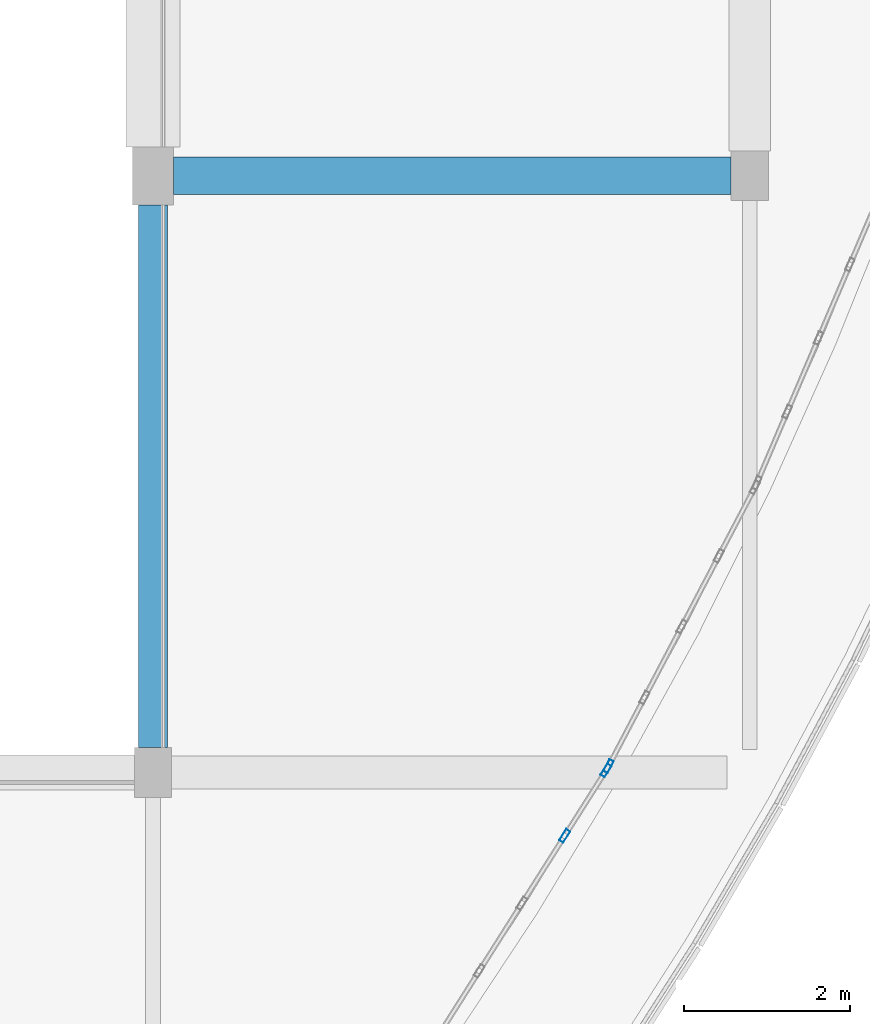
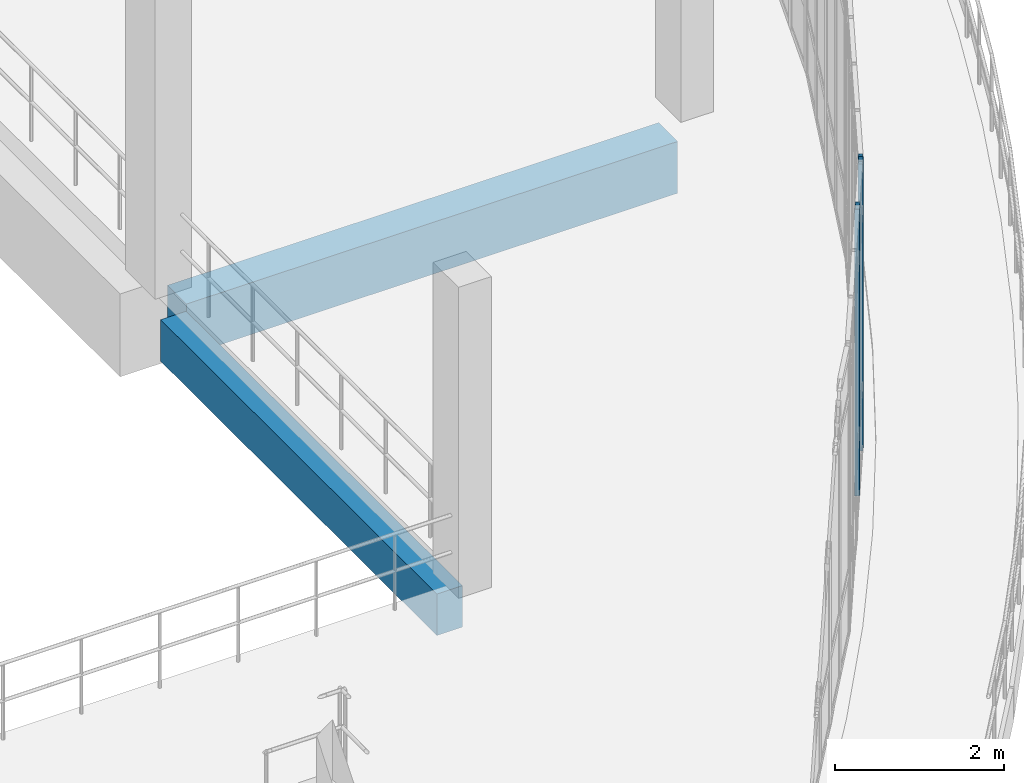
# One storey, part 61 of 124: 3 members, 2 beams, 2 elements without a shape of their own.
"""IFC4 building model written with IfcOpenShell, lengths in metres."""

from ifc_helpers import new_model, si_unit, direction, frame, origin, origin_2d, place, context, subcontext, project, spatial, rectangle, hollow_rectangle, extrude, material, material_profile, profile_set, type_object, element, aggregate, save


model = new_model("IFC4")

# Units and contexts
model_context = context("Model", 3, precision=1e-05, world=origin(), true_north=direction((0.0, 1.0)))
body_context = subcontext(model_context, "Body", "Model", "MODEL_VIEW")
ifc_project = project(units=[si_unit("LENGTHUNIT", "METRE"), si_unit("AREAUNIT", "SQUARE_METRE"), si_unit("VOLUMEUNIT", "CUBIC_METRE"), si_unit("PLANEANGLEUNIT", "RADIAN"), si_unit("MASSUNIT", "GRAM", prefix="KILO")], contexts=[model_context])

# Site, building, storey
site_placement = place(None, origin())
site = spatial("IfcSite", under=ifc_project, at=site_placement, CompositionType="ELEMENT")
building_placement = place(site_placement, origin())
building = spatial("IfcBuilding", under=site, at=building_placement, Name="Kalluvel Institute of Natural Sciences", CompositionType="ELEMENT")
storey_placement = place(building_placement, frame((0.0, 0.0, 9.89990234375)))
storey = spatial("IfcBuildingStorey", under=building, at=storey_placement, Name="L02", CompositionType="ELEMENT", Elevation=9.89990234375)

# Beams
ifc_material_1 = material(Name="Concrete M40", Category="concrete")
ifc_material_profile_1 = material_profile(ifc_material_1, rectangle(XDim=0.35009765625, YDim=0.60009765625, at=origin_2d()), Name="RCB 350x600")
ifc_profile_set_1 = profile_set([ifc_material_profile_1], Name="Concrete M40")
beam_type_1 = type_object("IfcBeamType", Name="BM-RC350x600", PredefinedType="BEAM", material=ifc_profile_set_1)
beam_1_placement = place(storey_placement, frame((71.60009765625, 79.10009765625, -0.619873046875), z_axis=(0.0, 1.0, 0.0), x_axis=(-1.0, 0.0, 0.0)))
element("IfcBeam", 1, at=beam_1_placement, inside=storey, type_object=beam_type_1, Name="L02 girder GIR-L02-NS-X716-Y788", PredefinedType="BEAM", context=body_context, shape_type="SweptSolid", body=[
    extrude(rectangle(XDim=0.35009765625, YDim=0.60009765625, at=origin_2d()), origin(), (0.0, 0.0, 1.0), 6.5498046875),
])
ifc_material_profile_2 = material_profile(ifc_material_1, rectangle(XDim=0.449951171875, YDim=0.75, at=origin_2d()), Name="RCB 450x750")
ifc_profile_set_2 = profile_set([ifc_material_profile_2], Name="Concrete M40")
beam_type_2 = type_object("IfcBeamType", Name="BM-RC450x750", PredefinedType="BEAM", material=ifc_profile_set_2)
beam_2_placement = place(storey_placement, frame((71.85009765625, 86.0, -0.69482421875), z_axis=(1.0, 0.0, 0.0), x_axis=(0.0, 1.0, 0.0)))
element("IfcBeam", 2, at=beam_2_placement, inside=storey, type_object=beam_type_2, Name="L02 girder GIR-L02-EW-X716-Y860", PredefinedType="BEAM", context=body_context, shape_type="SweptSolid", body=[
    extrude(rectangle(XDim=0.449951171875, YDim=0.75, at=origin_2d()), origin(), (0.0, 0.0, 1.0), 6.724853515625),
])

# Curtain wall, members
ifc_material_2 = material(Name="Aluminium AW-6063 T6", Category="aluminium")
curtain_wall_type = type_object("IfcCurtainWallType", Name="CW-ATR-ARC", PredefinedType="USERDEFINED", material=ifc_material_2)
curtain_wall_1_placement = place(storey_placement, origin())
curtain_wall_1 = element("IfcCurtainWall", 3, at=curtain_wall_1_placement, inside=storey, type_object=curtain_wall_type, Name="L02 Gothic lancet curtain wall CWA-L02-X750-Y756", ObjectType="UNITISED LANCET FACADE", PredefinedType="USERDEFINED")
ifc_material_profile_3 = material_profile(ifc_material_2, hollow_rectangle(XDim=0.06005859375, YDim=0.159912109375, WallThickness=0.00390625, at=origin_2d()), Name="CWM 60x160")
ifc_profile_set_3 = profile_set([ifc_material_profile_3], Name="Aluminium AW-6063 T6")
member_type = type_object("IfcMemberType", Name="CWM-60x160", PredefinedType="MULLION", material=ifc_profile_set_3)
member_1_placement = place(storey_placement, frame((76.567138671875, 78.034912109375, 0.0), z_axis=(0.0, 0.0, 1.0), x_axis=(-0.845188773939, 0.534467900259, 0.0)))
member_1 = element("IfcMember", 4, at=member_1_placement, type_object=member_type, Name="CW-05 mullion 4", PredefinedType="MULLION", context=body_context, shape_type="SweptSolid", body=[
    extrude(hollow_rectangle(XDim=0.06005859375, YDim=0.159912109375, WallThickness=0.00390625, at=origin_2d()), origin(), (0.0, 0.0, 1.0), 4.150146484375),
])
member_2_placement = place(storey_placement, frame((77.066650390625, 78.82470703125, 0.0), z_axis=(0.0, 0.0, 1.0), x_axis=(-0.845188773939, 0.534467900259, 0.0)))
member_2 = element("IfcMember", 5, at=member_2_placement, type_object=member_type, Name="CW-05 mullion 5", PredefinedType="MULLION", context=body_context, shape_type="SweptSolid", body=[
    extrude(hollow_rectangle(XDim=0.06005859375, YDim=0.159912109375, WallThickness=0.00390625, at=origin_2d()), origin(), (0.0, 0.0, 1.0), 4.150146484375),
])
aggregate(curtain_wall_1, [member_1, member_2])

# Curtain wall, member
curtain_wall_2_placement = place(storey_placement, origin())
curtain_wall_2 = element("IfcCurtainWall", 6, at=curtain_wall_2_placement, inside=storey, type_object=curtain_wall_type, Name="L02 Gothic lancet curtain wall CWA-L02-X771-Y788", ObjectType="UNITISED LANCET FACADE", PredefinedType="USERDEFINED")
member_3_placement = place(storey_placement, frame((77.096435546875, 78.87646484375, 0.0), z_axis=(0.0, 0.0, 1.0), x_axis=(-0.885450176504, 0.464734316496, 0.0)))
member_3 = element("IfcMember", 7, at=member_3_placement, type_object=member_type, Name="CW-05 mullion 1", PredefinedType="MULLION", context=body_context, shape_type="SweptSolid", body=[
    extrude(hollow_rectangle(XDim=0.06005859375, YDim=0.159912109375, WallThickness=0.00390625, at=origin_2d()), origin(), (0.0, 0.0, 1.0), 4.150146484375),
])
aggregate(curtain_wall_2, [member_3])

save(model, "model.ifc")
